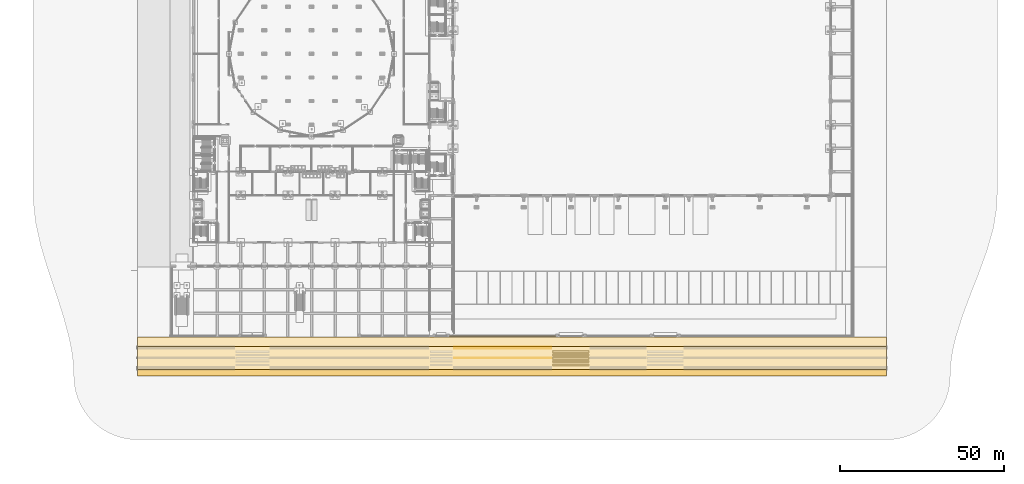
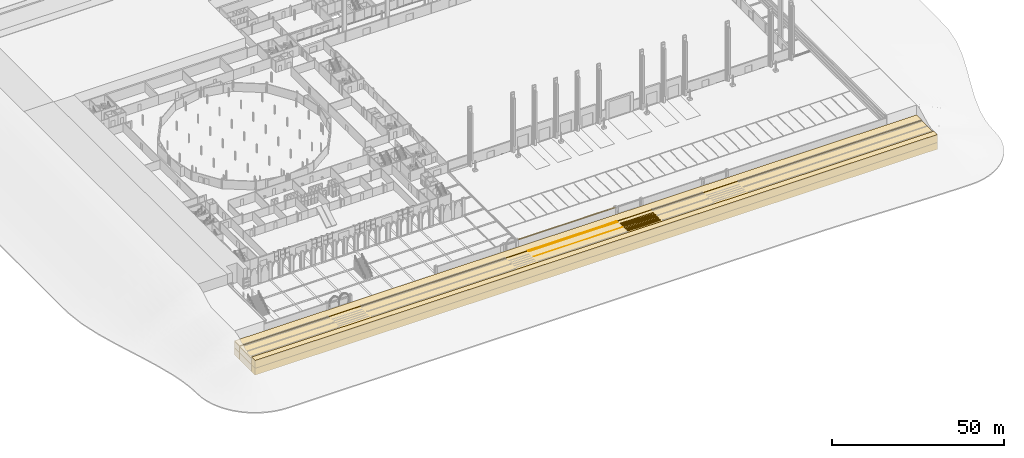
# One storey, part 121 of 148: 18 coverings.
"""IFC4 building model written with IfcOpenShell, lengths in metres."""

import ifcopenshell
import ifcopenshell.guid

model = None  # the IFC model being written
_history = None  # IfcOwnerHistory: only IFC2X3 demands one
_inside = {}  # id of a spatial element -> (the spatial element, [elements in it])
_under = {}  # id of a project, library or spatial element -> (it, [spatial elements below it])
_declared = {}  # id of a project -> (the project, [libraries it declares])
_typed = {}  # id of a type object -> (the type object, [elements of that type])
_made_of = {}  # id of a material, layer set ... -> (it, [elements and type objects made of it])


def new_model(schema):
    """Start an empty IFC model of exactly this schema.

    Asked for "IFC4X3", IfcOpenShell would pick the latest addendum, in which some entities
    have other attributes; the version numbers below select the first issue.
    IFC2X3 requires an IfcOwnerHistory on every rooted entity: one is made here for all.
    """
    global model, _history
    if schema == "IFC4X3":
        model = ifcopenshell.file(schema_version=(4, 3, 0, 0))
    else:
        model = ifcopenshell.file(schema=schema)
    _inside.clear()
    _under.clear()
    _declared.clear()
    _typed.clear()
    _made_of.clear()
    _history = None
    if model.schema == "IFC2X3":
        org = make("IfcOrganization", Name="unknown")
        user = make(
            "IfcPersonAndOrganization",
            ThePerson=make("IfcPerson", FamilyName="unknown"),
            TheOrganization=org,
        )
        app = make(
            "IfcApplication",
            ApplicationDeveloper=org,
            Version="unknown",
            ApplicationFullName="unknown",
            ApplicationIdentifier="unknown",
        )
        _history = make(
            "IfcOwnerHistory",
            OwningUser=user,
            OwningApplication=app,
            ChangeAction="ADDED",
            CreationDate=0,
        )
    return model


def make(cls, **values):
    """One entity of the class cls with the attributes given. An attribute that is None is left unset."""
    return model.create_entity(
        cls, **{name: value for name, value in values.items() if value is not None}
    )


def rooted(cls, **values):
    """An entity with a GlobalId (a new one), such as an element, a storey or a relation."""
    return make(cls, GlobalId=ifcopenshell.guid.new(), OwnerHistory=_history, **values)


def si_unit(unit_type, name, prefix=None):
    """IfcSIUnit, for example si_unit("LENGTHUNIT", "METRE", prefix="MILLI")."""
    return make("IfcSIUnit", UnitType=unit_type, Prefix=prefix, Name=name)


def assignment(units):
    """IfcUnitAssignment: the units of a project."""
    return None if units is None else make("IfcUnitAssignment", Units=units)


def point(xyz):
    """IfcCartesianPoint."""
    return None if xyz is None else make("IfcCartesianPoint", Coordinates=xyz)


def direction(xyz):
    """IfcDirection."""
    return None if xyz is None else make("IfcDirection", DirectionRatios=xyz)


def frame(location, z_axis=None, x_axis=None):
    """IfcAxis2Placement3D, a coordinate frame: its origin and axes. An axis left out is left unset."""
    return make(
        "IfcAxis2Placement3D",
        Location=point(location),
        Axis=direction(z_axis),
        RefDirection=direction(x_axis),
    )


def origin():
    """The frame at (0, 0, 0) with its axes left unset."""
    return frame((0.0, 0.0, 0.0))


def place(relative_to, where):
    """IfcLocalPlacement: puts the frame where relative to a parent placement (None: the world)."""
    return make(
        "IfcLocalPlacement", PlacementRelTo=relative_to, RelativePlacement=where
    )


def context(
    kind, dimensions, precision=None, world=None, true_north=None, identifier=None
):
    """IfcGeometricRepresentationContext, for example the 3D "Model" context."""
    return make(
        "IfcGeometricRepresentationContext",
        ContextIdentifier=identifier,
        ContextType=kind,
        CoordinateSpaceDimension=dimensions,
        Precision=precision,
        WorldCoordinateSystem=world,
        TrueNorth=true_north,
    )


def subcontext(parent, identifier, kind, view, scale=None):
    """IfcGeometricRepresentationSubContext, for example "Body" below "Model"."""
    return make(
        "IfcGeometricRepresentationSubContext",
        ContextIdentifier=identifier,
        ContextType=kind,
        ParentContext=parent,
        TargetScale=scale,
        TargetView=view,
    )


def project(units=None, contexts=None):
    """IfcProject with its units and contexts."""
    return rooted(
        "IfcProject",
        Name="project",
        RepresentationContexts=contexts,
        UnitsInContext=assignment(units),
    )


def spatial(cls, under=None, at=None, **own):
    """A site, building, storey or space (cls), placed at a placement, below another one or the project."""
    s = rooted(cls, ObjectPlacement=at, **own)
    if under is not None:
        _under.setdefault(under.id(), (under, []))[1].append(s)
    return s


def polyline(points):
    """IfcPolyline through the points."""
    return make("IfcPolyline", Points=[point(p) for p in points])


def outline(outer, holes=None, kind="AREA"):
    """IfcArbitraryClosedProfileDef: a profile drawn as a closed curve; with holes, ...WithVoids."""
    if holes is None:
        return make("IfcArbitraryClosedProfileDef", ProfileType=kind, OuterCurve=outer)
    return make(
        "IfcArbitraryProfileDefWithVoids",
        ProfileType=kind,
        OuterCurve=outer,
        InnerCurves=holes,
    )


def extrude(swept, where, along, depth):
    """IfcExtrudedAreaSolid: the profile swept, set in the frame where, extruded along a direction by depth."""
    return make(
        "IfcExtrudedAreaSolid",
        SweptArea=swept,
        Position=where,
        ExtrudedDirection=direction(along),
        Depth=depth,
    )


def shape(context_of_items, identifier, shape_type, items):
    """IfcShapeRepresentation: the items that make up one representation, for example the "Body"."""
    return make(
        "IfcShapeRepresentation",
        ContextOfItems=context_of_items,
        RepresentationIdentifier=identifier,
        RepresentationType=shape_type,
        Items=items,
    )


def material(Name=None, Category=None):
    """IfcMaterial."""
    return make("IfcMaterial", Name=Name, Category=Category)


def layer(
    of_material, thickness, ventilated=None, Name=None, Category=None, Priority=None
):
    """IfcMaterialLayer: one layer of a wall or slab, of a material (None: an air gap)."""
    return make(
        "IfcMaterialLayer",
        Material=of_material,
        LayerThickness=thickness,
        IsVentilated=ventilated,
        Name=Name,
        Category=Category,
        Priority=Priority,
    )


def layer_set(layers, Name=None):
    """IfcMaterialLayerSet."""
    return make("IfcMaterialLayerSet", MaterialLayers=layers, LayerSetName=Name)


def made_of(thing, what):
    """Note that an element or type object is made of a material, layer set ...; save() writes the relation."""
    if what is not None:
        _made_of.setdefault(what.id(), (what, []))[1].append(thing)
    return thing


def type_object(cls, material=None, **own):
    """A type object (cls), such as IfcWallType, which elements share."""
    return made_of(rooted(cls, **own), material)


def element(
    cls,
    number,
    at=None,
    inside=None,
    cuts=None,
    type_object=None,
    material=None,
    context=None,
    identifier="Body",
    shape_type=None,
    held_by="IfcProductDefinitionShape",
    body=None,
    shapes=None,
    **own,
):
    """One element of the class cls, such as IfcWall. Its Tag is "e" and its number.

    at: its placement. inside: the storey or other place that contains it. cuts: it is an
    opening in that element (IfcRelVoidsElement). A single representation is given by context,
    identifier, shape_type and body (its items); several are given by shapes. held_by: the class
    of the entity that holds the representations. save() writes the other relations.
    """
    e = rooted(cls, Tag="e%d" % number, ObjectPlacement=at, **own)
    if body is not None:
        shapes = [shape(context, identifier, shape_type, body)]
    if shapes is not None:
        e.Representation = make(held_by, Representations=shapes)
    if inside is not None:
        _inside.setdefault(inside.id(), (inside, []))[1].append(e)
    if cuts is not None:
        rooted(
            "IfcRelVoidsElement", RelatingBuildingElement=cuts, RelatedOpeningElement=e
        )
    if type_object is not None:
        _typed.setdefault(type_object.id(), (type_object, []))[1].append(e)
    return made_of(e, material)


def aggregate(whole, parts):
    """IfcRelAggregates: a whole, such as a stair, and the parts it consists of."""
    return rooted("IfcRelAggregates", RelatingObject=whole, RelatedObjects=parts)


def save(model, path):
    """Write the relations noted so far, then the file.

    IfcRelAggregates (storeys below a building ...), IfcRelContainedInSpatialStructure (elements
    in a storey), IfcRelDefinesByType, IfcRelAssociatesMaterial and IfcRelDeclares: one each for
    every whole, place, type object, material and project.
    """
    for whole, parts in _under.values():
        aggregate(whole, parts)
    for where, things in _inside.values():
        rooted(
            "IfcRelContainedInSpatialStructure",
            RelatedElements=things,
            RelatingStructure=where,
        )
    for kind, things in _typed.values():
        rooted("IfcRelDefinesByType", RelatedObjects=things, RelatingType=kind)
    for what, things in _made_of.values():
        rooted("IfcRelAssociatesMaterial", RelatedObjects=things, RelatingMaterial=what)
    for by, libraries in _declared.values():
        rooted("IfcRelDeclares", RelatingContext=by, RelatedDefinitions=libraries)
    model.write(path)


model = new_model("IFC4")

# Units and contexts
model_context = context("Model", 3, precision=1e-05, world=origin(), true_north=direction((0.0, 1.0)))
body_context = subcontext(model_context, "Body", "Model", "MODEL_VIEW")
ifc_project = project(units=[si_unit("LENGTHUNIT", "METRE"), si_unit("AREAUNIT", "SQUARE_METRE"), si_unit("VOLUMEUNIT", "CUBIC_METRE"), si_unit("PLANEANGLEUNIT", "RADIAN"), si_unit("MASSUNIT", "GRAM", prefix="KILO")], contexts=[model_context])

# Site, building, storey
site_placement = place(None, origin())
site = spatial("IfcSite", under=ifc_project, at=site_placement, CompositionType="ELEMENT")
building_placement = place(site_placement, origin())
building = spatial("IfcBuilding", under=site, at=building_placement, Name="Kupolbacken Congress Centre", CompositionType="ELEMENT")
storey_placement = place(building_placement, origin())
storey = spatial("IfcBuildingStorey", under=building, at=storey_placement, Name="L00", CompositionType="ELEMENT", Elevation=0.0)

# Coverings
ifc_material_1 = material(Name="Limestone cladding", Category="masonry")
ifc_layer_1 = layer(ifc_material_1, 0.1201171875)
ifc_layer_set_1 = layer_set([ifc_layer_1], Name="Limestone cladding")
covering_type_1 = type_object("IfcCoveringType", Name="CV1 limestone cladding band 120", PredefinedType="CLADDING", material=ifc_layer_set_1)
covering_1_placement = place(storey_placement, frame((0.0, 0.0, 2.39990234375)))
element("IfcCovering", 1, at=covering_1_placement, inside=storey, type_object=covering_type_1, Name="Limestone coping on boundary wall", PredefinedType="CLADDING", context=body_context, shape_type="SweptSolid", body=[
    extrude(outline(polyline([(85.300048828125, 0.375), (117.800048828125, 0.375), (117.800048828125, 0.0009765625), (85.300048828125, 0.0009765625), (85.300048828125, 0.375)])), origin(), (0.0, 0.0, 1.0), 0.1201171875),
])
ifc_material_2 = material(Name="Limestone cladding", Category="masonry")
ifc_layer_2 = layer(ifc_material_2, 0.02001953125)
ifc_layer_set_2 = layer_set([ifc_layer_2], Name="Limestone cladding")
covering_type_2 = type_object("IfcCoveringType", Name="GF1 limestone paving 20", PredefinedType="FLOORING", material=ifc_layer_set_2)
covering_2_placement = place(storey_placement, frame((0.0, 0.0, -0.14990234375)))
element("IfcCovering", 2, at=covering_2_placement, inside=storey, type_object=covering_type_2, Name="Street edge line", PredefinedType="FLOORING", context=body_context, shape_type="SweptSolid", body=[
    extrude(outline(polyline([(86.699951171875, -3.699951171875), (86.699951171875, -3.550048828125), (116.39990234375, -3.550048828125), (116.39990234375, -3.699951171875), (86.699951171875, -3.699951171875)])), origin(), (0.0, 0.0, 1.0), 0.02001953125),
])
covering_3_placement = place(storey_placement, frame((0.0, 0.0, -0.14990234375)))
element("IfcCovering", 3, at=covering_3_placement, inside=storey, type_object=covering_type_2, Name="Street centre line", PredefinedType="FLOORING", context=body_context, shape_type="SweptSolid", body=[
    extrude(outline(polyline([(86.699951171875, -6.574951171875), (86.699951171875, -6.425048828125), (116.39990234375, -6.425048828125), (116.39990234375, -6.574951171875), (86.699951171875, -6.574951171875)])), origin(), (0.0, 0.0, 1.0), 0.02001953125),
])
covering_4_placement = place(storey_placement, frame((0.0, 0.0, -0.14990234375)))
element("IfcCovering", 4, at=covering_4_placement, inside=storey, type_object=covering_type_2, Name="Street crossing marking", PredefinedType="FLOORING", context=body_context, shape_type="SweptSolid", body=[
    extrude(outline(polyline([(116.89990234375, -8.800048828125), (116.89990234375, -8.300048828125), (127.89990234375, -8.300048828125), (127.89990234375, -8.800048828125), (116.89990234375, -8.800048828125)])), origin(), (0.0, 0.0, 1.0), 0.02001953125),
])
covering_5_placement = place(storey_placement, frame((0.0, 0.0, -0.14990234375)))
element("IfcCovering", 5, at=covering_5_placement, inside=storey, type_object=covering_type_2, Name="Street crossing marking", PredefinedType="FLOORING", context=body_context, shape_type="SweptSolid", body=[
    extrude(outline(polyline([(116.89990234375, -7.800048828125), (116.89990234375, -7.300048828125), (127.89990234375, -7.300048828125), (127.89990234375, -7.800048828125), (116.89990234375, -7.800048828125)])), origin(), (0.0, 0.0, 1.0), 0.02001953125),
])
covering_6_placement = place(storey_placement, frame((0.0, 0.0, -0.14990234375)))
element("IfcCovering", 6, at=covering_6_placement, inside=storey, type_object=covering_type_2, Name="Street crossing marking", PredefinedType="FLOORING", context=body_context, shape_type="SweptSolid", body=[
    extrude(outline(polyline([(116.89990234375, -6.300048828125), (127.89990234375, -6.300048828125), (127.89990234375, -6.800048828125), (116.89990234375, -6.800048828125), (116.89990234375, -6.300048828125)])), origin(), (0.0, 0.0, 1.0), 0.02001953125),
])
covering_7_placement = place(storey_placement, frame((0.0, 0.0, -0.14990234375)))
element("IfcCovering", 7, at=covering_7_placement, inside=storey, type_object=covering_type_2, Name="Street crossing marking", PredefinedType="FLOORING", context=body_context, shape_type="SweptSolid", body=[
    extrude(outline(polyline([(116.89990234375, -5.800048828125), (116.89990234375, -5.300048828125), (127.89990234375, -5.300048828125), (127.89990234375, -5.800048828125), (116.89990234375, -5.800048828125)])), origin(), (0.0, 0.0, 1.0), 0.02001953125),
])
covering_8_placement = place(storey_placement, frame((0.0, 0.0, -0.14990234375)))
element("IfcCovering", 8, at=covering_8_placement, inside=storey, type_object=covering_type_2, Name="Street crossing marking", PredefinedType="FLOORING", context=body_context, shape_type="SweptSolid", body=[
    extrude(outline(polyline([(116.89990234375, -4.300048828125), (127.89990234375, -4.300048828125), (127.89990234375, -4.800048828125), (116.89990234375, -4.800048828125), (116.89990234375, -4.300048828125)])), origin(), (0.0, 0.0, 1.0), 0.02001953125),
])
ifc_material_3 = material(Name="Grass", Category="soil")
ifc_layer_3 = layer(ifc_material_3, 0.10009765625)
ifc_layer_set_3 = layer_set([ifc_layer_3], Name="Grass")
covering_type_3 = type_object("IfcCoveringType", Name="GR2 grass surface 100", PredefinedType="FLOORING", material=ifc_layer_set_3)
covering_9_placement = place(storey_placement, frame((0.0, 0.0, 0.199951171875)))
element("IfcCovering", 9, at=covering_9_placement, inside=storey, type_object=covering_type_3, Name="Grass verge, lower street verge", PredefinedType="FLOORING", context=body_context, shape_type="SweptSolid", body=[
    extrude(outline(polyline([(-10.0, -12.0), (-10.0, -10.0), (218.800048828125, -10.0), (218.800048828125, -12.0), (-10.0, -12.0)])), origin(), (0.0, 0.0, 1.0), 0.10009765625),
])
ifc_material_4 = material(Name="Granite setts", Category="masonry")
ifc_layer_4 = layer(ifc_material_4, 0.10009765625)
ifc_layer_set_4 = layer_set([ifc_layer_4], Name="Granite setts")
covering_type_4 = type_object("IfcCoveringType", Name="GR3 granite sett paving 100", PredefinedType="FLOORING", material=ifc_layer_set_4)
covering_10_placement = place(storey_placement, frame((0.0, 0.0, -0.10009765625)))
element("IfcCovering", 10, at=covering_10_placement, inside=storey, type_object=covering_type_4, Name="Footway paving, lower street footway", PredefinedType="FLOORING", context=body_context, shape_type="SweptSolid", body=[
    extrude(outline(polyline([(218.800048828125, 0.0), (218.800048828125, -3.0), (-10.0, -3.0), (-10.0, 0.0), (0.0, 0.0), (208.800048828125, 0.0), (218.800048828125, 0.0)])), origin(), (0.0, 0.0, 1.0), 0.10009765625),
])
covering_11_placement = place(storey_placement, frame((0.0, 0.0, -0.14990234375)))
element("IfcCovering", 11, at=covering_11_placement, inside=storey, type_object=covering_type_4, Name="Street granite kerb", PredefinedType="FLOORING", context=body_context, shape_type="SweptSolid", body=[
    extrude(outline(polyline([(116.39990234375, -3.001953125), (116.39990234375, -3.25), (86.699951171875, -3.25), (86.699951171875, -3.001953125), (116.39990234375, -3.001953125)])), origin(), (0.0, 0.0, 1.0), 0.099853515625),
])
ifc_material_5 = material(Name="Asphalt", Category="masonry")
ifc_layer_5 = layer(ifc_material_5, 0.10009765625)
ifc_layer_set_5 = layer_set([ifc_layer_5], Name="Asphalt")
covering_type_5 = type_object("IfcCoveringType", Name="GR4 asphalt carriageway 100", PredefinedType="FLOORING", material=ifc_layer_set_5)
covering_12_placement = place(storey_placement, frame((0.0, 0.0, -0.25)))
element("IfcCovering", 12, at=covering_12_placement, inside=storey, type_object=covering_type_5, Name="Carriageway, lower street carriageway", PredefinedType="FLOORING", context=body_context, shape_type="SweptSolid", body=[
    extrude(outline(polyline([(-10.0, -10.0), (-10.0, -3.0), (218.800048828125, -3.0), (218.800048828125, -10.0), (-10.0, -10.0)])), origin(), (0.0, 0.0, 1.0), 0.10009765625),
])
ifc_material_6 = material(Name="Made ground", Category="soil")
ifc_layer_6 = layer(ifc_material_6, 2.39990234375)
ifc_layer_set_6 = layer_set([ifc_layer_6], Name="Made ground")
covering_type_6 = type_object("IfcCoveringType", Name="GR5 earthworks, made ground", PredefinedType="FLOORING", material=ifc_layer_set_6)
covering_13_placement = place(storey_placement, frame((0.0, 0.0, -2.5)))
element("IfcCovering", 13, at=covering_13_placement, inside=storey, type_object=covering_type_6, Name="Earthworks, lower street footway, made ground", PredefinedType="FLOORING", context=body_context, shape_type="SweptSolid", body=[
    extrude(outline(polyline([(218.800048828125, 0.0), (218.800048828125, -3.0), (-10.0, -3.0), (-10.0, 0.0), (0.0, 0.0), (208.800048828125, 0.0), (218.800048828125, 0.0)])), origin(), (0.0, 0.0, 1.0), 2.39990234375),
])
covering_14_placement = place(storey_placement, frame((0.0, 0.0, -2.5)))
element("IfcCovering", 14, at=covering_14_placement, inside=storey, type_object=covering_type_6, Name="Earthworks, lower street carriageway, made ground", PredefinedType="FLOORING", context=body_context, shape_type="SweptSolid", body=[
    extrude(outline(polyline([(-10.0, -10.0), (-10.0, -3.0), (218.800048828125, -3.0), (218.800048828125, -10.0), (-10.0, -10.0)])), origin(), (0.0, 0.0, 1.0), 2.25),
])
covering_15_placement = place(storey_placement, frame((0.0, 0.0, -2.5)))
element("IfcCovering", 15, at=covering_15_placement, inside=storey, type_object=covering_type_6, Name="Earthworks, lower street verge, made ground", PredefinedType="FLOORING", context=body_context, shape_type="SweptSolid", body=[
    extrude(outline(polyline([(-10.0, -12.0), (-10.0, -10.0), (218.800048828125, -10.0), (218.800048828125, -12.0), (-10.0, -12.0)])), origin(), (0.0, 0.0, 1.0), 2.699951171875),
])
ifc_material_7 = material(Name="Clay till", Category="soil")
ifc_layer_7 = layer(ifc_material_7, 2.39990234375)
ifc_layer_set_7 = layer_set([ifc_layer_7], Name="Clay till")
covering_type_7 = type_object("IfcCoveringType", Name="GR6 earthworks, clay till", PredefinedType="FLOORING", material=ifc_layer_set_7)
covering_16_placement = place(storey_placement, frame((0.0, 0.0, -4.89990234375)))
element("IfcCovering", 16, at=covering_16_placement, inside=storey, type_object=covering_type_7, Name="Earthworks, lower street footway, clay till", PredefinedType="FLOORING", context=body_context, shape_type="SweptSolid", body=[
    extrude(outline(polyline([(218.800048828125, 0.0), (218.800048828125, -3.0), (-10.0, -3.0), (-10.0, 0.0), (0.0, 0.0), (208.800048828125, 0.0), (218.800048828125, 0.0)])), origin(), (0.0, 0.0, 1.0), 2.39990234375),
])
covering_17_placement = place(storey_placement, frame((0.0, 0.0, -4.89990234375)))
element("IfcCovering", 17, at=covering_17_placement, inside=storey, type_object=covering_type_7, Name="Earthworks, lower street carriageway, clay till", PredefinedType="FLOORING", context=body_context, shape_type="SweptSolid", body=[
    extrude(outline(polyline([(-10.0, -10.0), (-10.0, -3.0), (218.800048828125, -3.0), (218.800048828125, -10.0), (-10.0, -10.0)])), origin(), (0.0, 0.0, 1.0), 2.39990234375),
])
covering_18_placement = place(storey_placement, frame((0.0, 0.0, -4.89990234375)))
element("IfcCovering", 18, at=covering_18_placement, inside=storey, type_object=covering_type_7, Name="Earthworks, lower street verge, clay till", PredefinedType="FLOORING", context=body_context, shape_type="SweptSolid", body=[
    extrude(outline(polyline([(-10.0, -12.0), (-10.0, -10.0), (218.800048828125, -10.0), (218.800048828125, -12.0), (-10.0, -12.0)])), origin(), (0.0, 0.0, 1.0), 2.39990234375),
])

save(model, "model.ifc")
